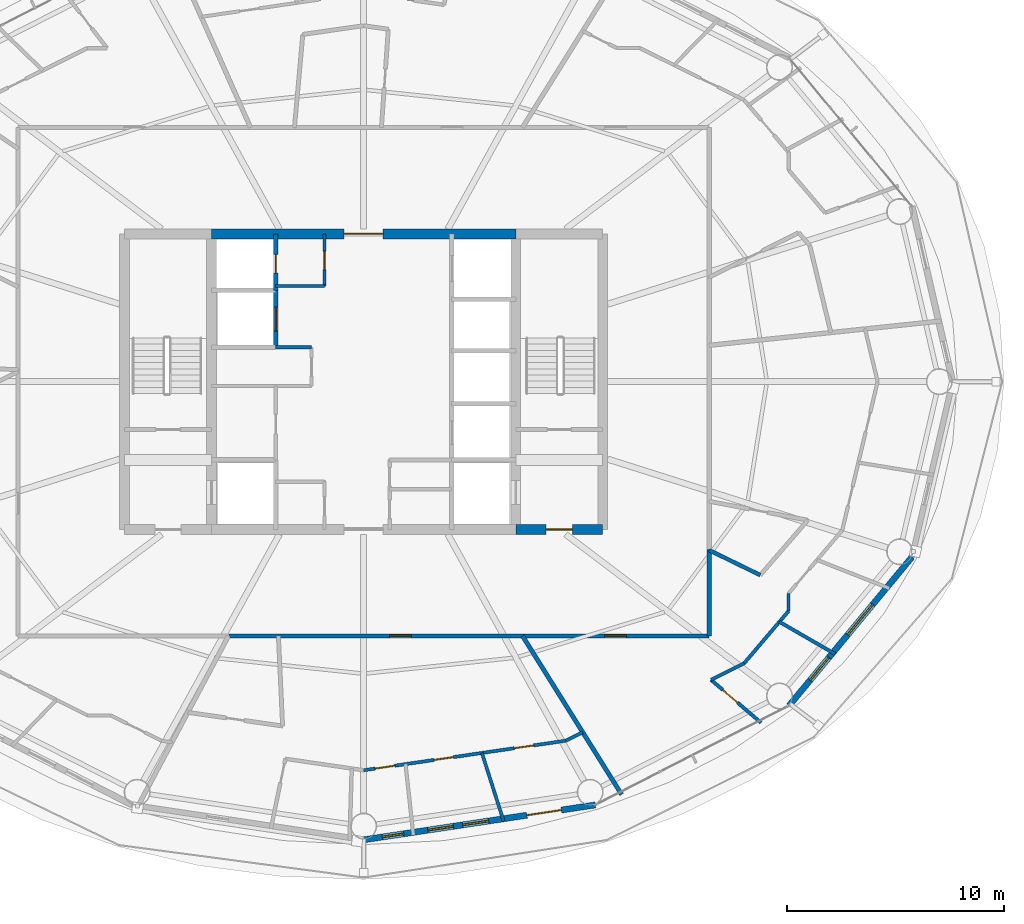
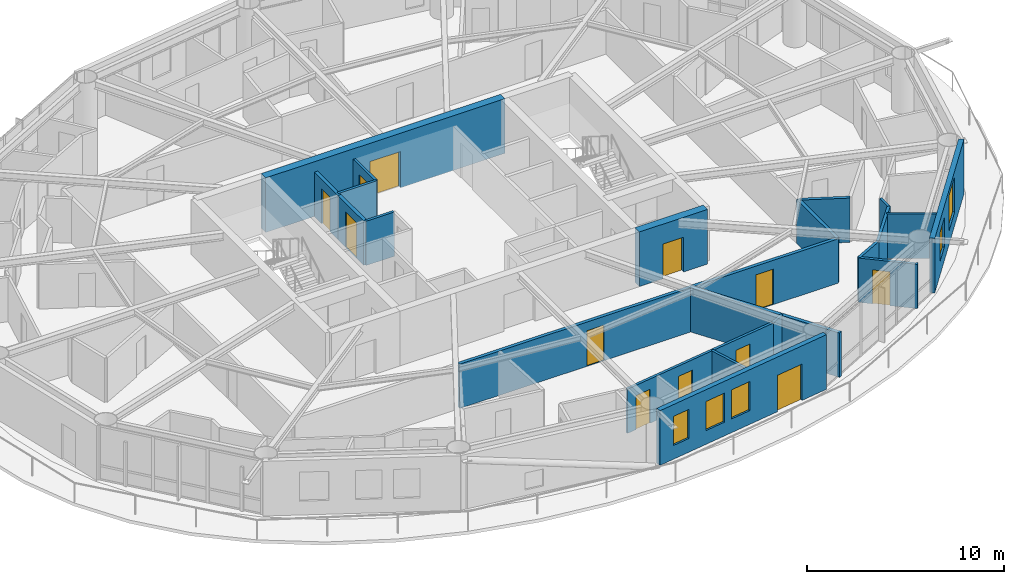
# One storey, part 21 of 27: 21 walls, 12 doors, 5 windows, 17 openings.
"""IFC4 building model written with IfcOpenShell, lengths in metres."""

from ifc_helpers import new_model, si_unit, direction, frame, frame_2d, origin, place, context, subcontext, project, spatial, rectangle, extrude, material, layer, layer_set, type_object, element, fill, save


model = new_model("IFC4")

# Units and contexts
model_context = context("Model", 3, precision=1e-05, world=origin(), true_north=direction((0.0, 1.0)))
body_context = subcontext(model_context, "Body", "Model", "MODEL_VIEW")
ifc_project = project(units=[si_unit("LENGTHUNIT", "METRE"), si_unit("AREAUNIT", "SQUARE_METRE"), si_unit("VOLUMEUNIT", "CUBIC_METRE"), si_unit("PLANEANGLEUNIT", "RADIAN"), si_unit("MASSUNIT", "GRAM", prefix="KILO")], contexts=[model_context])

# Site, building, storey
site_placement = place(None, origin())
site = spatial("IfcSite", under=ifc_project, at=site_placement, CompositionType="ELEMENT")
building_placement = place(site_placement, origin())
building = spatial("IfcBuilding", under=site, at=building_placement, Name="Sarneth Arch Tower", CompositionType="ELEMENT")
storey_placement = place(building_placement, frame((0.0, 0.0, 193.800048828125)))
storey = spatial("IfcBuildingStorey", under=building, at=storey_placement, Name="L49", CompositionType="ELEMENT", Elevation=193.800048828125)

# Wall, opening, door
ifc_material_1 = material(Name="Concrete C50/60", Category="concrete")
ifc_layer_1 = layer(ifc_material_1, 0.449951171875)
ifc_layer_set_1 = layer_set([ifc_layer_1], Name="Concrete C50/60")
wall_type_1 = type_object("IfcWallType", Name="WALL-CORE-450", PredefinedType="SHEAR", material=ifc_layer_set_1)
wall_1_placement = place(storey_placement, frame((55.0, 35.199951171875, 0.0), z_axis=(0.0, 0.0, 1.0), x_axis=(1.0, 0.0, 0.0)))
wall_1 = element("IfcWall", 1, at=wall_1_placement, inside=storey, type_object=wall_type_1, Name="L49 Core shear wall S-E", PredefinedType="SHEAR", context=body_context, shape_type="SweptSolid", body=[
    extrude(rectangle(XDim=4.0, YDim=0.449951171875, at=frame_2d((2.0, 0.0))), origin(), (0.0, 0.0, 1.0), 3.3798828125),
])
opening_1_placement = place(wall_1_placement, frame((1.39990234375, 0.0, 0.0)))
opening_1 = element("IfcOpeningElement", 2, at=opening_1_placement, cuts=wall_1, Name="Opening FD-02", PredefinedType="OPENING", context=body_context, shape_type="SweptSolid", body=[
    extrude(rectangle(XDim=1.199951171875, YDim=2.14990234375, at=frame_2d((0.60009765625, 1.074951171875))), frame((0.0, 0.23486328125, 0.0), z_axis=(0.0, -1.0, 0.0), x_axis=(1.0, 0.0, 0.0)), (0.0, 0.0, 1.0), 0.469970703125),
])
ifc_material_2 = material(Name="Galvanised Steel S275 fire door set", Category="steel")
door_type_1 = type_object("IfcDoorType", Name="DR-FD90-1200", OperationType="SINGLE_SWING_LEFT", PredefinedType="DOOR", material=ifc_material_2)
door_1_placement = place(opening_1_placement, origin())
door_1 = element("IfcDoor", 3, at=door_1_placement, inside=storey, type_object=door_type_1, Name="L49 Firefighting lobby 2 exit door", OperationType="SINGLE_SWING_RIGHT", OverallHeight=2.14990234375, OverallWidth=1.199951171875, PredefinedType="DOOR", context=body_context, shape_type="SweptSolid", body=[
    extrude(rectangle(XDim=1.199951171875, YDim=2.14990234375, at=frame_2d((0.60009765625, 1.074951171875))), frame((0.0, 0.02490234375, 0.0), z_axis=(0.0, -1.0, 0.0), x_axis=(1.0, 0.0, 0.0)), (0.0, 0.0, 1.0), 0.050048828125),
])
fill(opening_1, door_1)

wall_2_placement = place(storey_placement, frame((41.0, 48.800048828125, 0.0), z_axis=(0.0, 0.0, 1.0), x_axis=(1.0, 0.0, 0.0)))
wall_2 = element("IfcWall", 4, at=wall_2_placement, inside=storey, type_object=wall_type_1, Name="L49 Core shear wall N-M", PredefinedType="SHEAR", context=body_context, shape_type="SweptSolid", body=[
    extrude(rectangle(XDim=14.0, YDim=0.449951171875, at=frame_2d((7.0, 0.0))), origin(), (0.0, 0.0, 1.0), 3.3798828125),
])
opening_2_placement = place(wall_2_placement, frame((6.10009765625, 0.0, 0.0)))
opening_2 = element("IfcOpeningElement", 5, at=opening_2_placement, cuts=wall_2, Name="Opening FD-01", PredefinedType="OPENING", context=body_context, shape_type="SweptSolid", body=[
    extrude(rectangle(XDim=1.800048828125, YDim=2.25, at=frame_2d((0.89990234375, 1.125))), frame((0.0, 0.23486328125, 0.0), z_axis=(0.0, -1.0, 0.0), x_axis=(1.0, 0.0, 0.0)), (0.0, 0.0, 1.0), 0.469970703125),
])
ifc_material_3 = material(Name="Galvanised Steel S275 fire door set", Category="steel")
door_type_2 = type_object("IfcDoorType", Name="DR-FD90-1800", OperationType="DOUBLE_DOOR_SINGLE_SWING", PredefinedType="DOOR", material=ifc_material_3)
door_2_placement = place(opening_2_placement, origin())
door_2 = element("IfcDoor", 6, at=door_2_placement, inside=storey, type_object=door_type_2, Name="L49 Central lift lobby north door", OperationType="DOUBLE_DOOR_SINGLE_SWING", OverallHeight=2.25, OverallWidth=1.800048828125, PredefinedType="DOOR", context=body_context, shape_type="SweptSolid", body=[
    extrude(rectangle(XDim=1.800048828125, YDim=2.25, at=frame_2d((0.89990234375, 1.125))), frame((0.0, 0.02490234375, 0.0), z_axis=(0.0, -1.0, 0.0), x_axis=(1.0, 0.0, 0.0)), (0.0, 0.0, 1.0), 0.050048828125),
])
fill(opening_2, door_2)

# Wall, openings, doors
ifc_material_4 = material(Name="Double steel-stud corridor fire wall", Category="steel")
ifc_layer_2 = layer(ifc_material_4, 0.18994140625)
ifc_layer_set_2 = layer_set([ifc_layer_2], Name="Double steel-stud corridor fire wall")
wall_type_2 = type_object("IfcWallType", Name="WALL-CORR-190", PredefinedType="PARTITIONING", material=ifc_layer_set_2)
wall_3_placement = place(storey_placement, frame((41.742919921875, 30.300048828125, 0.0), z_axis=(0.0, 0.0, 1.0), x_axis=(1.0, 0.0, 0.0)))
wall_3 = element("IfcWall", 7, at=wall_3_placement, inside=storey, type_object=wall_type_2, Name="L49 Interior partition W-L49-TP-014", PredefinedType="PARTITIONING", context=body_context, shape_type="SweptSolid", body=[
    extrude(rectangle(XDim=22.156982421875, YDim=0.18994140625, at=frame_2d((11.07861328125, 0.0))), origin(), (0.0, 0.0, 1.0), 2.739990234375),
])
opening_3_placement = place(wall_3_placement, frame((7.451171875, 0.0, 0.0)))
opening_3 = element("IfcOpeningElement", 8, at=opening_3_placement, cuts=wall_3, Name="Opening FD-08", PredefinedType="OPENING", context=body_context, shape_type="SweptSolid", body=[
    extrude(rectangle(XDim=1.0, YDim=2.199951171875, at=frame_2d((0.5, 1.10009765625))), frame((0.0, 0.10498046875, 0.0), z_axis=(0.0, -1.0, 0.0), x_axis=(1.0, 0.0, 0.0)), (0.0, 0.0, 1.0), 0.2099609375),
])
opening_4_placement = place(wall_3_placement, frame((17.343994140625, 0.0, 0.0)))
opening_4 = element("IfcOpeningElement", 9, at=opening_4_placement, cuts=wall_3, Name="Opening FD-08", PredefinedType="OPENING", context=body_context, shape_type="SweptSolid", body=[
    extrude(rectangle(XDim=1.0, YDim=2.199951171875, at=frame_2d((0.5, 1.10009765625))), frame((0.0, 0.10498046875, 0.0), z_axis=(0.0, -1.0, 0.0), x_axis=(1.0, 0.0, 0.0)), (0.0, 0.0, 1.0), 0.2099609375),
])
ifc_material_5 = material(Name="Hardwood timber acoustic fire door", Category="wood")
door_type_3 = type_object("IfcDoorType", Name="DR-FD60-1000", OperationType="SINGLE_SWING_LEFT", PredefinedType="DOOR", material=ifc_material_5)
door_3_placement = place(opening_3_placement, origin())
door_3 = element("IfcDoor", 10, at=door_3_placement, inside=storey, type_object=door_type_3, Name="L49 Interior door DR-L49-U5-ENT", OperationType="SINGLE_SWING_RIGHT", OverallHeight=2.199951171875, OverallWidth=1.0, PredefinedType="DOOR", context=body_context, shape_type="SweptSolid", body=[
    extrude(rectangle(XDim=1.0, YDim=2.199951171875, at=frame_2d((0.5, 1.10009765625))), frame((0.0, 0.02490234375, 0.0), z_axis=(0.0, -1.0, 0.0), x_axis=(1.0, 0.0, 0.0)), (0.0, 0.0, 1.0), 0.050048828125),
])
fill(opening_3, door_3)
door_4_placement = place(opening_4_placement, origin())
door_4 = element("IfcDoor", 11, at=door_4_placement, inside=storey, type_object=door_type_3, Name="L49 Interior door DR-L49-U6-ENT", OperationType="SINGLE_SWING_RIGHT", OverallHeight=2.199951171875, OverallWidth=1.0, PredefinedType="DOOR", context=body_context, shape_type="SweptSolid", body=[
    extrude(rectangle(XDim=1.0, YDim=2.199951171875, at=frame_2d((0.5, 1.10009765625))), frame((0.0, 0.02490234375, 0.0), z_axis=(0.0, -1.0, 0.0), x_axis=(1.0, 0.0, 0.0)), (0.0, 0.0, 1.0), 0.050048828125),
])
fill(opening_4, door_4)

# Wall
wall_4_placement = place(storey_placement, frame((63.89990234375, 34.28076171875, 0.0), z_axis=(0.0, 0.0, 1.0), x_axis=(0.0, -1.0, 0.0)))
element("IfcWall", 12, at=wall_4_placement, inside=storey, type_object=wall_type_2, Name="L49 Interior partition W-L49-TP-016", PredefinedType="PARTITIONING", context=body_context, shape_type="SweptSolid", body=[
    extrude(rectangle(XDim=3.980712890625, YDim=0.18994140625, at=frame_2d((1.990234375, 0.0))), origin(), (0.0, 0.0, 1.0), 2.739990234375),
])

# Wall, openings, door, windows
ifc_material_6 = material(Name="Extruded terracotta rainscreen on Concrete C40/50 backing", Category="masonry")
ifc_layer_3 = layer(ifc_material_6, 0.280029296875)
ifc_layer_set_3 = layer_set([ifc_layer_3], Name="Extruded terracotta rainscreen on Concrete C40/50 backing")
wall_type_3 = type_object("IfcWallType", Name="WALL-EXT-TERRA-280", PredefinedType="SOLIDWALL", material=ifc_layer_set_3)
wall_5_placement = place(storey_placement, frame((48.0, 20.919921875, 0.0), z_axis=(0.0, 0.0, 1.0), x_axis=(0.988863993413, 0.148822049884, 0.0)))
wall_5 = element("IfcWall", 13, at=wall_5_placement, inside=storey, type_object=wall_type_3, Name="L49 Terracotta perimeter wall 13", PredefinedType="SOLIDWALL", context=body_context, shape_type="SweptSolid", body=[
    extrude(rectangle(XDim=10.782958984375, YDim=0.280029296875, at=frame_2d((5.3916015625, 0.0))), origin(), (0.0, 0.0, 1.0), 3.3798828125),
])
opening_5_placement = place(wall_5_placement, frame((2.977783203125, 0.0, 0.85009765625)))
opening_5 = element("IfcOpeningElement", 14, at=opening_5_placement, cuts=wall_5, Name="Opening W-09", PredefinedType="OPENING", context=body_context, shape_type="SweptSolid", body=[
    extrude(rectangle(XDim=1.199951171875, YDim=1.800048828125, at=frame_2d((0.60009765625, 0.89990234375))), frame((0.0, 0.14990234375, 0.0), z_axis=(0.0, -1.0, 0.0), x_axis=(1.0, 0.0, 0.0)), (0.0, 0.0, 1.0), 0.300048828125),
])
opening_6_placement = place(wall_5_placement, frame((4.613037109375, 0.0, 0.85009765625)))
opening_6 = element("IfcOpeningElement", 15, at=opening_6_placement, cuts=wall_5, Name="Opening W-09", PredefinedType="OPENING", context=body_context, shape_type="SweptSolid", body=[
    extrude(rectangle(XDim=1.199951171875, YDim=1.800048828125, at=frame_2d((0.60009765625, 0.89990234375))), frame((0.0, 0.14990234375, 0.0), z_axis=(0.0, -1.0, 0.0), x_axis=(1.0, 0.0, 0.0)), (0.0, 0.0, 1.0), 0.300048828125),
])
opening_7_placement = place(wall_5_placement, frame((7.601318359375, 0.0, 0.0)))
opening_7 = element("IfcOpeningElement", 16, at=opening_7_placement, cuts=wall_5, Name="Opening BD-1", PredefinedType="OPENING", context=body_context, shape_type="SweptSolid", body=[
    extrude(rectangle(XDim=1.60009765625, YDim=2.25, at=frame_2d((0.800048828125, 1.125))), frame((0.0, 0.14990234375, 0.0), z_axis=(0.0, -1.0, 0.0), x_axis=(1.0, 0.0, 0.0)), (0.0, 0.0, 1.0), 0.300048828125),
])
opening_8_placement = place(wall_5_placement, frame((0.873779296875, 0.0, 0.85009765625)))
opening_8 = element("IfcOpeningElement", 17, at=opening_8_placement, cuts=wall_5, Name="Opening W-11", PredefinedType="OPENING", context=body_context, shape_type="SweptSolid", body=[
    extrude(rectangle(XDim=1.0, YDim=1.800048828125, at=frame_2d((0.5, 0.89990234375))), frame((0.0, 0.14990234375, 0.0), z_axis=(0.0, -1.0, 0.0), x_axis=(1.0, 0.0, 0.0)), (0.0, 0.0, 1.0), 0.300048828125),
])
ifc_material_7 = material(Name="Thermally broken Aluminium 6063-T6 and laminated safety glass", Category="aluminium")
door_type_4 = type_object("IfcDoorType", Name="DR-BALC-GLZ-1600", OperationType="DOUBLE_DOOR_SINGLE_SWING", PredefinedType="DOOR", material=ifc_material_7)
door_5_placement = place(opening_7_placement, origin())
door_5 = element("IfcDoor", 18, at=door_5_placement, inside=storey, type_object=door_type_4, Name="L49 Balcony glazed door 13", OperationType="DOUBLE_DOOR_SINGLE_SWING", OverallHeight=2.25, OverallWidth=1.60009765625, PredefinedType="DOOR", context=body_context, shape_type="SweptSolid", body=[
    extrude(rectangle(XDim=1.60009765625, YDim=2.25, at=frame_2d((0.800048828125, 1.125))), frame((0.0, 0.02490234375, 0.0), z_axis=(0.0, -1.0, 0.0), x_axis=(1.0, 0.0, 0.0)), (0.0, 0.0, 1.0), 0.050048828125),
])
fill(opening_7, door_5)
ifc_material_8 = material(Name="Thermally broken Aluminium 6063-T6 and low-e laminated IGU", Category="aluminium")
window_type_1 = type_object("IfcWindowType", Name="WIN-TWR-1000x1800", PartitioningType="SINGLE_PANEL", PredefinedType="WINDOW", material=ifc_material_8)
window_1_placement = place(opening_8_placement, origin())
window_1 = element("IfcWindow", 19, at=window_1_placement, inside=storey, type_object=window_type_1, Name="L49 Dwelling bedroom window 04", OverallHeight=1.800048828125, OverallWidth=1.0, PartitioningType="SINGLE_PANEL", PredefinedType="WINDOW", context=body_context, shape_type="SweptSolid", body=[
    extrude(rectangle(XDim=1.0, YDim=1.800048828125, at=frame_2d((0.5, 0.89990234375))), frame((0.0, 0.030029296875, 0.0), z_axis=(0.0, -1.0, 0.0), x_axis=(1.0, 0.0, 0.0)), (0.0, 0.0, 1.0), 0.06005859375),
])
fill(opening_8, window_1)
ifc_material_9 = material(Name="Thermally broken Aluminium 6063-T6 and low-e laminated IGU", Category="aluminium")
window_type_2 = type_object("IfcWindowType", Name="WIN-TWR-1200x1800", PartitioningType="SINGLE_PANEL", PredefinedType="WINDOW", material=ifc_material_9)
window_2_placement = place(opening_5_placement, origin())
window_2 = element("IfcWindow", 20, at=window_2_placement, inside=storey, type_object=window_type_2, Name="L49 Exterior window 13A", OverallHeight=1.800048828125, OverallWidth=1.199951171875, PartitioningType="SINGLE_PANEL", PredefinedType="WINDOW", context=body_context, shape_type="SweptSolid", body=[
    extrude(rectangle(XDim=1.199951171875, YDim=1.800048828125, at=frame_2d((0.60009765625, 0.89990234375))), frame((0.0, 0.030029296875, 0.0), z_axis=(0.0, -1.0, 0.0), x_axis=(1.0, 0.0, 0.0)), (0.0, 0.0, 1.0), 0.06005859375),
])
fill(opening_5, window_2)
window_3_placement = place(opening_6_placement, origin())
window_3 = element("IfcWindow", 21, at=window_3_placement, inside=storey, type_object=window_type_2, Name="L49 Exterior window 13B", OverallHeight=1.800048828125, OverallWidth=1.199951171875, PartitioningType="SINGLE_PANEL", PredefinedType="WINDOW", context=body_context, shape_type="SweptSolid", body=[
    extrude(rectangle(XDim=1.199951171875, YDim=1.800048828125, at=frame_2d((0.60009765625, 0.89990234375))), frame((0.0, 0.030029296875, 0.0), z_axis=(0.0, -1.0, 0.0), x_axis=(1.0, 0.0, 0.0)), (0.0, 0.0, 1.0), 0.06005859375),
])
fill(opening_6, window_3)

# Wall, openings, windows
wall_6_placement = place(storey_placement, frame((67.576171875, 27.09423828125, 0.0), z_axis=(0.0, 0.0, 1.0), x_axis=(0.637333477683, 0.770588111915, 0.0)))
wall_6 = element("IfcWall", 22, at=wall_6_placement, inside=storey, type_object=wall_type_3, Name="L49 Terracotta perimeter wall 15", PredefinedType="SOLIDWALL", context=body_context, shape_type="SweptSolid", body=[
    extrude(rectangle(XDim=8.874755859375, YDim=0.280029296875, at=frame_2d((4.4375, 0.0))), origin(), (0.0, 0.0, 1.0), 3.3798828125),
])
opening_9_placement = place(wall_6_placement, frame((1.51953125, 0.0, 0.85009765625)))
opening_9 = element("IfcOpeningElement", 23, at=opening_9_placement, cuts=wall_6, Name="Opening W-08", PredefinedType="OPENING", context=body_context, shape_type="SweptSolid", body=[
    extrude(rectangle(XDim=1.35009765625, YDim=1.800048828125, at=frame_2d((0.675048828125, 0.89990234375))), frame((0.0, 0.14990234375, 0.0), z_axis=(0.0, -1.0, 0.0), x_axis=(1.0, 0.0, 0.0)), (0.0, 0.0, 1.0), 0.300048828125),
])
opening_10_placement = place(wall_6_placement, frame((4.23681640625, 0.0, 0.85009765625)))
opening_10 = element("IfcOpeningElement", 24, at=opening_10_placement, cuts=wall_6, Name="Opening W-04", PredefinedType="OPENING", context=body_context, shape_type="SweptSolid", body=[
    extrude(rectangle(XDim=1.800048828125, YDim=2.199951171875, at=frame_2d((0.89990234375, 1.10009765625))), frame((0.0, 0.14990234375, 0.0), z_axis=(0.0, -1.0, 0.0), x_axis=(1.0, 0.0, 0.0)), (0.0, 0.0, 1.0), 0.300048828125),
])
ifc_material_10 = material(Name="Thermally broken Aluminium 6063-T6 and low-e laminated IGU", Category="aluminium")
window_type_3 = type_object("IfcWindowType", Name="WIN-TWR-1350x1800", PartitioningType="SINGLE_PANEL", PredefinedType="WINDOW", material=ifc_material_10)
window_4_placement = place(opening_9_placement, origin())
window_4 = element("IfcWindow", 25, at=window_4_placement, inside=storey, type_object=window_type_3, Name="L49 Exterior window 15A", OverallHeight=1.800048828125, OverallWidth=1.35009765625, PartitioningType="SINGLE_PANEL", PredefinedType="WINDOW", context=body_context, shape_type="SweptSolid", body=[
    extrude(rectangle(XDim=1.35009765625, YDim=1.800048828125, at=frame_2d((0.675048828125, 0.89990234375))), frame((0.0, 0.030029296875, 0.0), z_axis=(0.0, -1.0, 0.0), x_axis=(1.0, 0.0, 0.0)), (0.0, 0.0, 1.0), 0.06005859375),
])
fill(opening_9, window_4)
ifc_material_11 = material(Name="Thermally broken Aluminium 6063-T6 and low-e laminated IGU", Category="aluminium")
window_type_4 = type_object("IfcWindowType", Name="WIN-TWR-1800x2200", PartitioningType="DOUBLE_PANEL_VERTICAL", PredefinedType="WINDOW", material=ifc_material_11)
window_5_placement = place(opening_10_placement, origin())
window_5 = element("IfcWindow", 26, at=window_5_placement, inside=storey, type_object=window_type_4, Name="L49 Exterior window 15B", OverallHeight=2.199951171875, OverallWidth=1.800048828125, PartitioningType="SINGLE_PANEL", PredefinedType="WINDOW", context=body_context, shape_type="SweptSolid", body=[
    extrude(rectangle(XDim=1.800048828125, YDim=2.199951171875, at=frame_2d((0.89990234375, 1.10009765625))), frame((0.0, 0.030029296875, 0.0), z_axis=(0.0, -1.0, 0.0), x_axis=(1.0, 0.0, 0.0)), (0.0, 0.0, 1.0), 0.06005859375),
])
fill(opening_10, window_5)

# Walls
ifc_material_12 = material(Name="Acoustic gypsum stud partition", Category="gypsum")
ifc_layer_4 = layer(ifc_material_12, 0.14990234375)
ifc_layer_set_4 = layer_set([ifc_layer_4], Name="Acoustic gypsum stud partition")
wall_type_4 = type_object("IfcWallType", Name="WALL-PART-150", PredefinedType="PARTITIONING", material=ifc_layer_set_4)
wall_7_placement = place(storey_placement, frame((43.949951171875, 43.580078125, 0.0), z_axis=(0.0, 0.0, 1.0), x_axis=(1.0, 0.0, 0.0)))
element("IfcWall", 27, at=wall_7_placement, inside=storey, type_object=wall_type_4, Name="L49 Interior partition W-L49-RECPL-N2", PredefinedType="PARTITIONING", context=body_context, shape_type="SweptSolid", body=[
    extrude(rectangle(XDim=1.650146484375, YDim=0.14990234375, at=frame_2d((0.8251953125, 0.0))), origin(), (0.0, 0.0, 1.0), 2.739990234375),
])
wall_8_placement = place(storey_placement, frame((43.949951171875, 46.39990234375, 0.0), z_axis=(0.0, 0.0, 1.0), x_axis=(1.0, 0.0, 0.0)))
element("IfcWall", 28, at=wall_8_placement, inside=storey, type_object=wall_type_4, Name="L49 Interior partition W-L49-CSUP2-S", PredefinedType="PARTITIONING", context=body_context, shape_type="SweptSolid", body=[
    extrude(rectangle(XDim=2.25, YDim=0.14990234375, at=frame_2d((1.125, 0.0))), origin(), (0.0, 0.0, 1.0), 2.739990234375),
])

# Wall, opening, door
wall_9_placement = place(storey_placement, frame((46.199951171875, 46.39990234375, 0.0), z_axis=(0.0, 0.0, 1.0), x_axis=(0.0, 1.0, 0.0)))
wall_9 = element("IfcWall", 29, at=wall_9_placement, inside=storey, type_object=wall_type_4, Name="L49 Interior partition W-L49-CSUP2-E", PredefinedType="PARTITIONING", context=body_context, shape_type="SweptSolid", body=[
    extrude(rectangle(XDim=2.400146484375, YDim=0.14990234375, at=frame_2d((1.2001953125, 0.0))), origin(), (0.0, 0.0, 1.0), 2.739990234375),
])
opening_11_placement = place(wall_9_placement, frame((0.75, 0.0, 0.0)))
opening_11 = element("IfcOpeningElement", 30, at=opening_11_placement, cuts=wall_9, Name="Opening FD-11", PredefinedType="OPENING", context=body_context, shape_type="SweptSolid", body=[
    extrude(rectangle(XDim=0.85009765625, YDim=2.14990234375, at=frame_2d((0.425048828125, 1.074951171875))), frame((0.0, 0.0849609375, 0.0), z_axis=(0.0, -1.0, 0.0), x_axis=(1.0, 0.0, 0.0)), (0.0, 0.0, 1.0), 0.169921875),
])
ifc_material_13 = material(Name="Galvanised Steel S275 closet fire door", Category="steel")
door_type_5 = type_object("IfcDoorType", Name="DR-FD60-850", OperationType="SINGLE_SWING_LEFT", PredefinedType="DOOR", material=ifc_material_13)
door_6_placement = place(opening_11_placement, origin())
door_6 = element("IfcDoor", 31, at=door_6_placement, inside=storey, type_object=door_type_5, Name="L49 Interior door DR-L49-CSUP2", OperationType="SINGLE_SWING_RIGHT", OverallHeight=2.14990234375, OverallWidth=0.85009765625, PredefinedType="DOOR", context=body_context, shape_type="SweptSolid", body=[
    extrude(rectangle(XDim=0.85009765625, YDim=2.14990234375, at=frame_2d((0.425048828125, 1.074951171875))), frame((0.0, 0.02490234375, 0.0), z_axis=(0.0, -1.0, 0.0), x_axis=(1.0, 0.0, 0.0)), (0.0, 0.0, 1.0), 0.050048828125),
])
fill(opening_11, door_6)

# Wall, openings, doors
wall_10_placement = place(storey_placement, frame((48.0, 24.1201171875, 0.0), z_axis=(0.0, 0.0, 1.0), x_axis=(0.989474667704, 0.144706191892, 0.0)))
wall_10 = element("IfcWall", 32, at=wall_10_placement, inside=storey, type_object=wall_type_4, Name="L49 Interior partition W-L49-TP-101", PredefinedType="PARTITIONING", context=body_context, shape_type="SweptSolid", body=[
    extrude(rectangle(XDim=9.404052734375, YDim=0.14990234375, at=frame_2d((4.7021484375, 0.0))), origin(), (0.0, 0.0, 1.0), 2.739990234375),
])
opening_12_placement = place(wall_10_placement, frame((7.001953125, 0.0, 0.0)))
opening_12 = element("IfcOpeningElement", 33, at=opening_12_placement, cuts=wall_10, Name="Opening ID-01", PredefinedType="OPENING", context=body_context, shape_type="SweptSolid", body=[
    extrude(rectangle(XDim=0.89990234375, YDim=2.10009765625, at=frame_2d((0.449951171875, 1.050048828125))), frame((0.0, 0.0849609375, 0.0), z_axis=(0.0, -1.0, 0.0), x_axis=(1.0, 0.0, 0.0)), (0.0, 0.0, 1.0), 0.169921875),
])
opening_13_placement = place(wall_10_placement, frame((3.274169921875, 0.0, 0.0)))
opening_13 = element("IfcOpeningElement", 34, at=opening_13_placement, cuts=wall_10, Name="Opening ID-01", PredefinedType="OPENING", context=body_context, shape_type="SweptSolid", body=[
    extrude(rectangle(XDim=0.89990234375, YDim=2.10009765625, at=frame_2d((0.449951171875, 1.050048828125))), frame((0.0, 0.0849609375, 0.0), z_axis=(0.0, -1.0, 0.0), x_axis=(1.0, 0.0, 0.0)), (0.0, 0.0, 1.0), 0.169921875),
])
opening_14_placement = place(wall_10_placement, frame((0.5400390625, 0.0, 0.0)))
opening_14 = element("IfcOpeningElement", 35, at=opening_14_placement, cuts=wall_10, Name="Opening ID-01", PredefinedType="OPENING", context=body_context, shape_type="SweptSolid", body=[
    extrude(rectangle(XDim=0.89990234375, YDim=2.10009765625, at=frame_2d((0.449951171875, 1.050048828125))), frame((0.0, 0.0849609375, 0.0), z_axis=(0.0, -1.0, 0.0), x_axis=(1.0, 0.0, 0.0)), (0.0, 0.0, 1.0), 0.169921875),
])
ifc_material_14 = material(Name="Engineered hardwood flush door", Category="wood")
door_type_6 = type_object("IfcDoorType", Name="DR-INT-900", OperationType="SINGLE_SWING_LEFT", PredefinedType="DOOR", material=ifc_material_14)
door_7_placement = place(opening_12_placement, origin())
door_7 = element("IfcDoor", 36, at=door_7_placement, inside=storey, type_object=door_type_6, Name="L49 Interior door DR-L49-U5-BED3", OperationType="SINGLE_SWING_LEFT", OverallHeight=2.10009765625, OverallWidth=0.89990234375, PredefinedType="DOOR", context=body_context, shape_type="SweptSolid", body=[
    extrude(rectangle(XDim=0.89990234375, YDim=2.10009765625, at=frame_2d((0.449951171875, 1.050048828125))), frame((0.0, 0.02490234375, 0.0), z_axis=(0.0, -1.0, 0.0), x_axis=(1.0, 0.0, 0.0)), (0.0, 0.0, 1.0), 0.050048828125),
])
fill(opening_12, door_7)
door_8_placement = place(opening_13_placement, origin())
door_8 = element("IfcDoor", 37, at=door_8_placement, inside=storey, type_object=door_type_6, Name="L49 Interior door DR-L49-U5-BED2", OperationType="SINGLE_SWING_RIGHT", OverallHeight=2.10009765625, OverallWidth=0.89990234375, PredefinedType="DOOR", context=body_context, shape_type="SweptSolid", body=[
    extrude(rectangle(XDim=0.89990234375, YDim=2.10009765625, at=frame_2d((0.449951171875, 1.050048828125))), frame((0.0, 0.02490234375, 0.0), z_axis=(0.0, -1.0, 0.0), x_axis=(1.0, 0.0, 0.0)), (0.0, 0.0, 1.0), 0.050048828125),
])
fill(opening_13, door_8)
door_9_placement = place(opening_14_placement, origin())
door_9 = element("IfcDoor", 38, at=door_9_placement, inside=storey, type_object=door_type_6, Name="L49 Interior door DR-L49-U5-BED1", OperationType="SINGLE_SWING_RIGHT", OverallHeight=2.10009765625, OverallWidth=0.89990234375, PredefinedType="DOOR", context=body_context, shape_type="SweptSolid", body=[
    extrude(rectangle(XDim=0.89990234375, YDim=2.10009765625, at=frame_2d((0.449951171875, 1.050048828125))), frame((0.0, 0.02490234375, 0.0), z_axis=(0.0, -1.0, 0.0), x_axis=(1.0, 0.0, 0.0)), (0.0, 0.0, 1.0), 0.050048828125),
])
fill(opening_14, door_9)

# Walls
wall_11_placement = place(storey_placement, frame((53.441650390625, 24.916015625, 0.0), z_axis=(0.0, 0.0, 1.0), x_axis=(0.303533258223, -0.952820844205, 0.0)))
element("IfcWall", 39, at=wall_11_placement, inside=storey, type_object=wall_type_4, Name="L49 Interior partition W-L49-TP-106", PredefinedType="PARTITIONING", context=body_context, shape_type="SweptSolid", body=[
    extrude(rectangle(XDim=3.3017578125, YDim=0.14990234375, at=frame_2d((1.65087890625, 0.0))), origin(), (0.0, 0.0, 1.0), 2.739990234375),
])
wall_12_placement = place(storey_placement, frame((57.30517578125, 25.48095703125, 0.0), z_axis=(0.0, 0.0, 1.0), x_axis=(0.895046131033, 0.445973567965, 0.0)))
element("IfcWall", 40, at=wall_12_placement, inside=storey, type_object=wall_type_4, Name="L49 Interior partition W-L49-TP-102", PredefinedType="PARTITIONING", context=body_context, shape_type="SweptSolid", body=[
    extrude(rectangle(XDim=0.86669921875, YDim=0.14990234375, at=frame_2d((0.433349609375, 0.0))), origin(), (0.0, 0.0, 1.0), 2.739990234375),
])
wall_13_placement = place(storey_placement, frame((67.550048828125, 31.443359375, 0.0), z_axis=(0.0, 0.0, 1.0), x_axis=(0.0, 1.0, 0.0)))
element("IfcWall", 41, at=wall_13_placement, inside=storey, type_object=wall_type_4, Name="L49 Interior partition W-L49-TP-109", PredefinedType="PARTITIONING", context=body_context, shape_type="SweptSolid", body=[
    extrude(rectangle(XDim=0.812255859375, YDim=0.14990234375, at=frame_2d((0.40625, 0.0))), origin(), (0.0, 0.0, 1.0), 2.739990234375),
])

# Wall, opening, door
ifc_material_15 = material(Name="Kitchen wet service chase wall", Category="gypsum")
ifc_layer_5 = layer(ifc_material_15, 0.159912109375)
ifc_layer_set_5 = layer_set([ifc_layer_5], Name="Kitchen wet service chase wall")
wall_type_5 = type_object("IfcWallType", Name="WALL-PLUMB-160", PredefinedType="PLUMBINGWALL", material=ifc_layer_set_5)
wall_14_placement = place(storey_placement, frame((63.984130859375, 28.28076171875, 0.0), z_axis=(0.0, 0.0, 1.0), x_axis=(0.758829970644, -0.651288780537, 0.0)))
wall_14 = element("IfcWall", 42, at=wall_14_placement, inside=storey, type_object=wall_type_5, Name="L49 Interior partition W-L49-TP-113", PredefinedType="PLUMBINGWALL", context=body_context, shape_type="SweptSolid", body=[
    extrude(rectangle(XDim=3.03076171875, YDim=0.159912109375, at=frame_2d((1.515380859375, 0.0))), origin(), (0.0, 0.0, 1.0), 2.739990234375),
])
opening_15_placement = place(wall_14_placement, frame((0.705322265625, 0.0, 0.0)))
opening_15 = element("IfcOpeningElement", 43, at=opening_15_placement, cuts=wall_14, Name="Opening ID-01", PredefinedType="OPENING", context=body_context, shape_type="SweptSolid", body=[
    extrude(rectangle(XDim=0.89990234375, YDim=2.10009765625, at=frame_2d((0.449951171875, 1.050048828125))), frame((0.0, 0.08984375, 0.0), z_axis=(0.0, -1.0, 0.0), x_axis=(1.0, 0.0, 0.0)), (0.0, 0.0, 1.0), 0.179931640625),
])
door_10_placement = place(opening_15_placement, origin())
door_10 = element("IfcDoor", 44, at=door_10_placement, inside=storey, type_object=door_type_6, Name="L49 Interior door DR-L49-U6-KIT", OperationType="SINGLE_SWING_LEFT", OverallHeight=2.10009765625, OverallWidth=0.89990234375, PredefinedType="DOOR", context=body_context, shape_type="SweptSolid", body=[
    extrude(rectangle(XDim=0.89990234375, YDim=2.10009765625, at=frame_2d((0.449951171875, 1.050048828125))), frame((0.0, 0.02490234375, 0.0), z_axis=(0.0, -1.0, 0.0), x_axis=(1.0, 0.0, 0.0)), (0.0, 0.0, 1.0), 0.050048828125),
])
fill(opening_15, door_10)

# Walls
wall_15_placement = place(storey_placement, frame((69.692626953125, 29.467529296875, 0.0), z_axis=(0.0, 0.0, 1.0), x_axis=(-0.865888886841, 0.500236379769, 0.0)))
element("IfcWall", 45, at=wall_15_placement, inside=storey, type_object=wall_type_5, Name="L49 Interior partition W-L49-TP-121", PredefinedType="PLUMBINGWALL", context=body_context, shape_type="SweptSolid", body=[
    extrude(rectangle(XDim=2.96044921875, YDim=0.159912109375, at=frame_2d((1.480224609375, 0.0))), origin(), (0.0, 0.0, 1.0), 2.739990234375),
])
wall_16_placement = place(storey_placement, frame((67.550048828125, 31.443359375, 0.0), z_axis=(0.0, 0.0, 1.0), x_axis=(-0.647888606369, -0.761735094201, 0.0)))
element("IfcWall", 46, at=wall_16_placement, inside=storey, type_object=wall_type_5, Name="L49 Interior partition W-L49-TP-111", PredefinedType="PLUMBINGWALL", context=body_context, shape_type="SweptSolid", body=[
    extrude(rectangle(XDim=3.15673828125, YDim=0.159912109375, at=frame_2d((1.578369140625, 0.0))), origin(), (0.0, 0.0, 1.0), 2.739990234375),
])
wall_17_placement = place(storey_placement, frame((65.5048828125, 29.038818359375, 0.0), z_axis=(0.0, 0.0, 1.0), x_axis=(-0.894972502213, -0.44612130669, 0.0)))
element("IfcWall", 47, at=wall_17_placement, inside=storey, type_object=wall_type_5, Name="L49 Interior partition W-L49-TP-112", PredefinedType="PLUMBINGWALL", context=body_context, shape_type="SweptSolid", body=[
    extrude(rectangle(XDim=1.69921875, YDim=0.159912109375, at=frame_2d((0.849609375, 0.0))), origin(), (0.0, 0.0, 1.0), 2.739990234375),
])
ifc_material_16 = material(Name="Moisture-resistant plumbing chase wall", Category="gypsum")
ifc_layer_6 = layer(ifc_material_16, 0.179931640625)
ifc_layer_set_6 = layer_set([ifc_layer_6], Name="Moisture-resistant plumbing chase wall")
wall_type_6 = type_object("IfcWallType", Name="WALL-PLUMB-180", PredefinedType="PLUMBINGWALL", material=ifc_layer_set_6)
wall_18_placement = place(storey_placement, frame((63.89990234375, 34.2451171875, 0.0), z_axis=(0.0, 0.0, 1.0), x_axis=(0.898795393126, -0.438368385374, 0.0)))
element("IfcWall", 48, at=wall_18_placement, inside=storey, type_object=wall_type_6, Name="L49 Interior partition W-L49-TP-114", PredefinedType="PLUMBINGWALL", context=body_context, shape_type="SweptSolid", body=[
    extrude(rectangle(XDim=2.612060546875, YDim=0.179931640625, at=frame_2d((1.30615234375, 0.0))), origin(), (0.0, 0.0, 1.0), 2.739990234375),
])

# Wall, opening, door
ifc_material_17 = material(Name="Aerated concrete blockwork C25/30", Category="masonry")
ifc_layer_7 = layer(ifc_material_17, 0.199951171875)
ifc_layer_set_7 = layer_set([ifc_layer_7], Name="Aerated concrete blockwork C25/30")
wall_type_7 = type_object("IfcWallType", Name="WALL-SHAFT-200", PredefinedType="SOLIDWALL", material=ifc_layer_set_7)
wall_19_placement = place(storey_placement, frame((43.949951171875, 46.199951171875, 0.0), z_axis=(0.0, 0.0, 1.0), x_axis=(0.0, 1.0, 0.0)))
wall_19 = element("IfcWall", 49, at=wall_19_placement, inside=storey, type_object=wall_type_7, Name="L49 Interior partition W-L49-RISER-E", PredefinedType="SOLIDWALL", context=body_context, shape_type="SweptSolid", body=[
    extrude(rectangle(XDim=2.60009765625, YDim=0.199951171875, at=frame_2d((1.300048828125, 0.0))), origin(), (0.0, 0.0, 1.0), 2.739990234375),
])
opening_16_placement = place(wall_19_placement, frame((0.800048828125, 0.0, 0.0)))
opening_16 = element("IfcOpeningElement", 50, at=opening_16_placement, cuts=wall_19, Name="Opening FD-11", PredefinedType="OPENING", context=body_context, shape_type="SweptSolid", body=[
    extrude(rectangle(XDim=0.85009765625, YDim=2.14990234375, at=frame_2d((0.425048828125, 1.074951171875))), frame((0.0, 0.10986328125, 0.0), z_axis=(0.0, -1.0, 0.0), x_axis=(1.0, 0.0, 0.0)), (0.0, 0.0, 1.0), 0.219970703125),
])
door_11_placement = place(opening_16_placement, origin())
door_11 = element("IfcDoor", 51, at=door_11_placement, inside=storey, type_object=door_type_5, Name="L49 Lift landing door DR-L49-RISER", OperationType="SINGLE_SWING_LEFT", OverallHeight=2.14990234375, OverallWidth=0.85009765625, PredefinedType="DOOR", context=body_context, shape_type="SweptSolid", body=[
    extrude(rectangle(XDim=0.85009765625, YDim=2.14990234375, at=frame_2d((0.425048828125, 1.074951171875))), frame((0.0, 0.02490234375, 0.0), z_axis=(0.0, -1.0, 0.0), x_axis=(1.0, 0.0, 0.0)), (0.0, 0.0, 1.0), 0.050048828125),
])
fill(opening_16, door_11)

wall_20_placement = place(storey_placement, frame((43.949951171875, 43.580078125, 0.0), z_axis=(0.0, 0.0, 1.0), x_axis=(0.0, 1.0, 0.0)))
wall_20 = element("IfcWall", 52, at=wall_20_placement, inside=storey, type_object=wall_type_7, Name="L49 Interior partition W-L49-PM1-FRONT", PredefinedType="SOLIDWALL", context=body_context, shape_type="SweptSolid", body=[
    extrude(rectangle(XDim=2.619873046875, YDim=0.199951171875, at=frame_2d((1.31005859375, 0.0))), origin(), (0.0, 0.0, 1.0), 2.739990234375),
])
opening_17_placement = place(wall_20_placement, frame((0.75, 0.0, 0.0)))
opening_17 = element("IfcOpeningElement", 53, at=opening_17_placement, cuts=wall_20, Name="Opening LD-1", PredefinedType="OPENING", context=body_context, shape_type="SweptSolid", body=[
    extrude(rectangle(XDim=1.10009765625, YDim=2.199951171875, at=frame_2d((0.550048828125, 1.10009765625))), frame((0.0, 0.10986328125, 0.0), z_axis=(0.0, -1.0, 0.0), x_axis=(1.0, 0.0, 0.0)), (0.0, 0.0, 1.0), 0.219970703125),
])
ifc_material_18 = material(Name="Brushed Stainless Steel 304 lift landing door", Category="steel")
door_type_7 = type_object("IfcDoorType", Name="DR-LIFT-SLIDE-1100", OperationType="SLIDING_TO_LEFT", PredefinedType="DOOR", material=ifc_material_18)
door_12_placement = place(opening_17_placement, origin())
door_12 = element("IfcDoor", 54, at=door_12_placement, inside=storey, type_object=door_type_7, Name="L49 Lift landing door DR-L49-LD-PM1", OperationType="SLIDING_TO_LEFT", OverallHeight=2.199951171875, OverallWidth=1.10009765625, PredefinedType="DOOR", context=body_context, shape_type="SweptSolid", body=[
    extrude(rectangle(XDim=1.10009765625, YDim=2.199951171875, at=frame_2d((0.550048828125, 1.10009765625))), frame((0.0, 0.02490234375, 0.0), z_axis=(0.0, -1.0, 0.0), x_axis=(1.0, 0.0, 0.0)), (0.0, 0.0, 1.0), 0.050048828125),
])
fill(opening_17, door_12)

# Wall
ifc_material_19 = material(Name="Double steel-stud acoustic drywall", Category="steel")
ifc_layer_8 = layer(ifc_material_19, 0.199951171875)
ifc_layer_set_8 = layer_set([ifc_layer_8], Name="Double steel-stud acoustic drywall")
wall_type_8 = type_object("IfcWallType", Name="WALL-UNIT-200", PredefinedType="PARTITIONING", material=ifc_layer_set_8)
wall_21_placement = place(storey_placement, frame((59.86767578125, 23.0078125, 0.0), z_axis=(0.0, 0.0, 1.0), x_axis=(-0.529914717401, 0.848050937315, 0.0)))
element("IfcWall", 55, at=wall_21_placement, inside=storey, type_object=wall_type_8, Name="L49 Interior partition W-L49-TP-103", PredefinedType="PARTITIONING", context=body_context, shape_type="SweptSolid", body=[
    extrude(rectangle(XDim=8.598876953125, YDim=0.199951171875, at=frame_2d((4.29931640625, 0.0))), origin(), (0.0, 0.0, 1.0), 2.739990234375),
])

save(model, "model.ifc")
